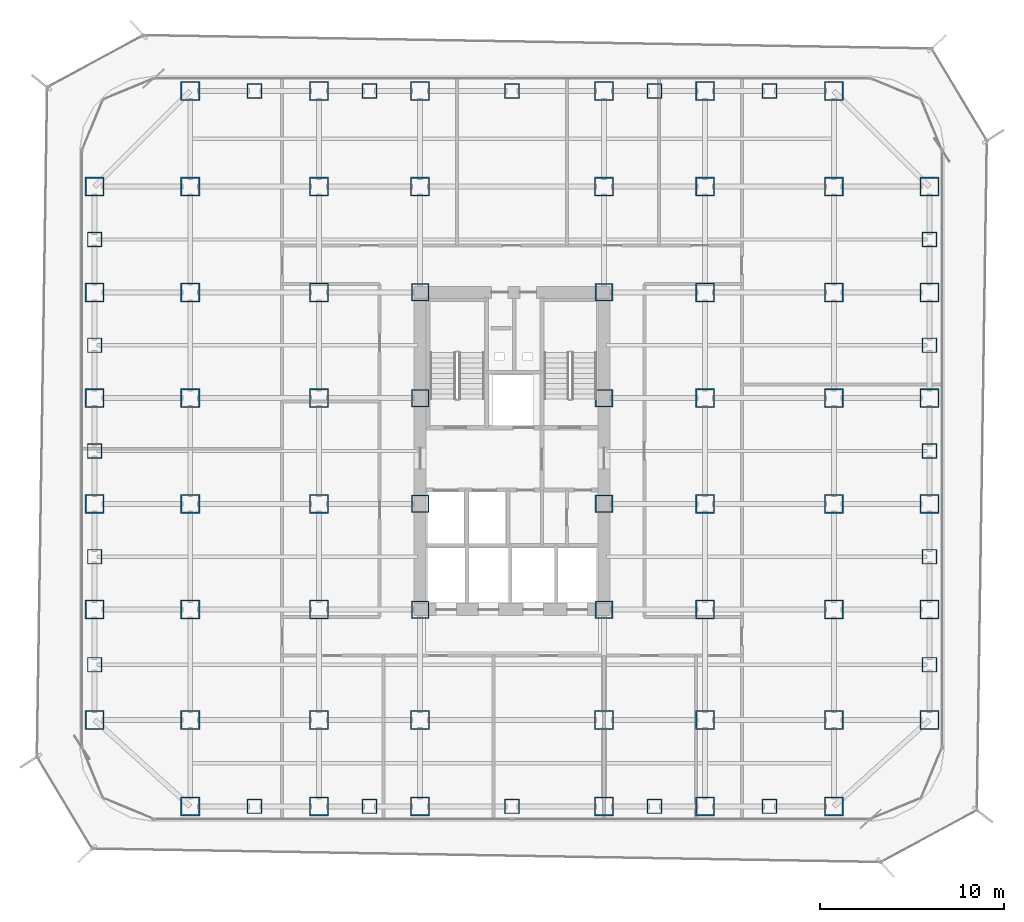
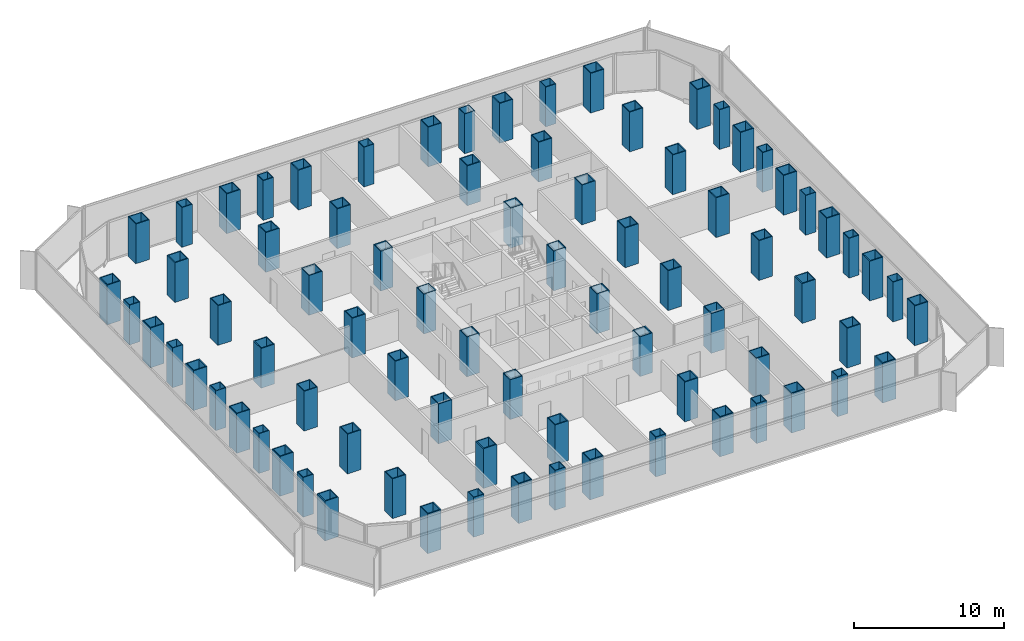
# One storey, part 1 of 22: 80 columns.
"""IFC4 building model written with IfcOpenShell, lengths in metres."""

from ifc_helpers import new_model, si_unit, direction, frame, origin, origin_2d, place, context, subcontext, project, spatial, hollow_rectangle, extrude, source, transform, mapped, material, material_profile, profile_set, type_object, element, save


model = new_model("IFC4")

# Units and contexts
model_context = context("Model", 3, precision=1e-05, world=origin(), true_north=direction((0.0, 1.0)))
body_context = subcontext(model_context, "Body", "Model", "MODEL_VIEW")
ifc_project = project(units=[si_unit("LENGTHUNIT", "METRE"), si_unit("AREAUNIT", "SQUARE_METRE"), si_unit("VOLUMEUNIT", "CUBIC_METRE"), si_unit("PLANEANGLEUNIT", "RADIAN"), si_unit("MASSUNIT", "GRAM", prefix="KILO")], contexts=[model_context])

# Site, building, storey
site_placement = place(None, origin())
site = spatial("IfcSite", under=ifc_project, at=site_placement, CompositionType="ELEMENT")
building_placement = place(site_placement, origin())
building = spatial("IfcBuilding", under=site, at=building_placement, Name="Kolveth Station Tower", CompositionType="ELEMENT")
storey_placement = place(building_placement, frame((0.0, 0.0, 72.89990234375)))
storey = spatial("IfcBuildingStorey", under=building, at=storey_placement, Name="L19", CompositionType="ELEMENT", Elevation=72.89990234375)

# Columns
ifc_material_1 = material(Name="Steel S460", Category="steel")
ifc_material_profile_1 = material_profile(ifc_material_1, hollow_rectangle(XDim=1.0400390625, YDim=1.0400390625, WallThickness=0.06494140625, at=origin_2d()), Name="BOX1040x1040x65")
ifc_profile_set_1 = profile_set([ifc_material_profile_1], Name="Steel S460")
column_type_1 = type_object("IfcColumnType", Name="Col_C2", PredefinedType="COLUMN", material=ifc_profile_set_1)
shared_shape_1 = source(origin(), body_context, "Body", "SweptSolid", [
    extrude(hollow_rectangle(XDim=1.0400390625, YDim=1.0400390625, WallThickness=0.06494140625, at=origin_2d()), origin(), (0.0, 0.0, 1.0), 3.239990234375),
])
for number, where, z_axis, x_axis, name in (
    (1, (6.0, 0.800048828125, 0.0), (0.0, 0.0, 1.0), (1.0, 0.0, 0.0), "L19 Tower Column S-X60"),
    (2, (6.0, 39.699951171875, 0.0), (0.0, 0.0, 1.0), (1.0, 0.0, 0.0), "L19 Tower Column N-X60"),
    (3, (13.0, 0.800048828125, 0.0), (0.0, 0.0, 1.0), (1.0, 0.0, 0.0), "L19 Tower Column S-X130"),
    (4, (13.0, 39.699951171875, 0.0), (0.0, 0.0, 1.0), (1.0, 0.0, 0.0), "L19 Tower Column N-X130"),
    (5, (18.5, 0.800048828125, 0.0), (0.0, 0.0, 1.0), (1.0, 0.0, 0.0), "L19 Tower Column S-X185"),
    (6, (18.5, 39.699951171875, 0.0), (0.0, 0.0, 1.0), (1.0, 0.0, 0.0), "L19 Tower Column N-X185"),
    (7, (28.5, 0.800048828125, 0.0), (0.0, 0.0, 1.0), (1.0, 0.0, 0.0), "L19 Tower Column S-X285"),
    (8, (28.5, 39.699951171875, 0.0), (0.0, 0.0, 1.0), (1.0, 0.0, 0.0), "L19 Tower Column N-X285"),
    (9, (34.0, 0.800048828125, 0.0), (0.0, 0.0, 1.0), (1.0, 0.0, 0.0), "L19 Tower Column S-X340"),
    (10, (34.0, 39.699951171875, 0.0), (0.0, 0.0, 1.0), (1.0, 0.0, 0.0), "L19 Tower Column N-X340"),
    (11, (41.0, 0.800048828125, 0.0), (0.0, 0.0, 1.0), (1.0, 0.0, 0.0), "L19 Tower Column S-X410"),
    (12, (41.0, 39.699951171875, 0.0), (0.0, 0.0, 1.0), (1.0, 0.0, 0.0), "L19 Tower Column N-X410"),
    (13, (0.800048828125, 5.5, 0.0), (0.0, 0.0, 1.0), (1.0, 0.0, 0.0), "L19 Tower Column W-Y55"),
    (14, (46.199951171875, 5.5, 0.0), (0.0, 0.0, 1.0), (1.0, 0.0, 0.0), "L19 Tower Column E-Y55"),
    (15, (0.800048828125, 11.5, 0.0), (0.0, 0.0, 1.0), (1.0, 0.0, 0.0), "L19 Tower Column W-Y115"),
    (16, (46.199951171875, 11.5, 0.0), (0.0, 0.0, 1.0), (1.0, 0.0, 0.0), "L19 Tower Column E-Y115"),
    (17, (0.800048828125, 17.25, 0.0), (0.0, 0.0, 1.0), (1.0, 0.0, 0.0), "L19 Tower Column W-Y172"),
    (18, (46.199951171875, 17.25, 0.0), (0.0, 0.0, 1.0), (1.0, 0.0, 0.0), "L19 Tower Column E-Y172"),
    (19, (0.800048828125, 23.0, 0.0), (0.0, 0.0, 1.0), (1.0, 0.0, 0.0), "L19 Tower Column W-Y230"),
    (20, (46.199951171875, 23.0, 0.0), (0.0, 0.0, 1.0), (1.0, 0.0, 0.0), "L19 Tower Column E-Y230"),
    (21, (0.800048828125, 28.75, 0.0), (0.0, 0.0, 1.0), (1.0, 0.0, 0.0), "L19 Tower Column W-Y287"),
    (22, (46.199951171875, 28.75, 0.0), (0.0, 0.0, 1.0), (1.0, 0.0, 0.0), "L19 Tower Column E-Y287"),
    (23, (0.800048828125, 34.5, 0.0), (0.0, 0.0, 1.0), (1.0, 0.0, 0.0), "L19 Tower Column W-Y345"),
    (24, (46.199951171875, 34.5, 0.0), (0.0, 0.0, 1.0), (1.0, 0.0, 0.0), "L19 Tower Column E-Y345"),
    (25, (6.0, 5.5, 0.0), (0.0, 0.0, 1.0), (1.0, 0.0, 0.0), "L19 Tower Column G-60-55"),
    (26, (6.0, 11.5, 0.0), (0.0, 0.0, 1.0), (1.0, 0.0, 0.0), "L19 Tower Column G-60-115"),
    (27, (6.0, 17.25, 0.0), (0.0, 0.0, 1.0), (1.0, 0.0, 0.0), "L19 Tower Column G-60-172"),
    (28, (6.0, 23.0, 0.0), (0.0, 0.0, 1.0), (1.0, 0.0, 0.0), "L19 Tower Column G-60-230"),
    (29, (6.0, 28.75, 0.0), (0.0, 0.0, 1.0), (1.0, 0.0, 0.0), "L19 Tower Column G-60-287"),
    (30, (6.0, 34.5, 0.0), (0.0, 0.0, 1.0), (1.0, 0.0, 0.0), "L19 Tower Column G-60-345"),
    (31, (13.0, 5.5, 0.0), (0.0, 0.0, 1.0), (1.0, 0.0, 0.0), "L19 Tower Column G-130-55"),
    (32, (13.0, 11.5, 0.0), (0.0, 0.0, 1.0), (1.0, 0.0, 0.0), "L19 Tower Column G-130-115"),
    (33, (13.0, 17.25, 0.0), (0.0, 0.0, 1.0), (1.0, 0.0, 0.0), "L19 Tower Column G-130-172"),
    (34, (13.0, 23.0, 0.0), (0.0, 0.0, 1.0), (1.0, 0.0, 0.0), "L19 Tower Column G-130-230"),
    (35, (13.0, 28.75, 0.0), (0.0, 0.0, 1.0), (1.0, 0.0, 0.0), "L19 Tower Column G-130-287"),
    (36, (13.0, 34.5, 0.0), (0.0, 0.0, 1.0), (1.0, 0.0, 0.0), "L19 Tower Column G-130-345"),
    (37, (18.5, 5.5, 0.0), (0.0, 0.0, 1.0), (1.0, 0.0, 0.0), "L19 Tower Column G-185-55"),
    (38, (18.5, 34.5, 0.0), (0.0, 0.0, 1.0), (1.0, 0.0, 0.0), "L19 Tower Column G-185-345"),
    (39, (28.5, 5.5, 0.0), (0.0, 0.0, 1.0), (1.0, 0.0, 0.0), "L19 Tower Column G-285-55"),
    (40, (28.5, 34.5, 0.0), (0.0, 0.0, 1.0), (1.0, 0.0, 0.0), "L19 Tower Column G-285-345"),
    (41, (34.0, 5.5, 0.0), (0.0, 0.0, 1.0), (1.0, 0.0, 0.0), "L19 Tower Column G-340-55"),
    (42, (34.0, 11.5, 0.0), (0.0, 0.0, 1.0), (1.0, 0.0, 0.0), "L19 Tower Column G-340-115"),
    (43, (34.0, 17.25, 0.0), (0.0, 0.0, 1.0), (1.0, 0.0, 0.0), "L19 Tower Column G-340-172"),
    (44, (34.0, 23.0, 0.0), (0.0, 0.0, 1.0), (1.0, 0.0, 0.0), "L19 Tower Column G-340-230"),
    (45, (34.0, 28.75, 0.0), (0.0, 0.0, 1.0), (1.0, 0.0, 0.0), "L19 Tower Column G-340-287"),
    (46, (34.0, 34.5, 0.0), (0.0, 0.0, 1.0), (1.0, 0.0, 0.0), "L19 Tower Column G-340-345"),
    (47, (41.0, 5.5, 0.0), (0.0, 0.0, 1.0), (1.0, 0.0, 0.0), "L19 Tower Column G-410-55"),
    (48, (41.0, 11.5, 0.0), (0.0, 0.0, 1.0), (1.0, 0.0, 0.0), "L19 Tower Column G-410-115"),
    (49, (41.0, 17.25, 0.0), (0.0, 0.0, 1.0), (1.0, 0.0, 0.0), "L19 Tower Column G-410-172"),
    (50, (41.0, 23.0, 0.0), (0.0, 0.0, 1.0), (1.0, 0.0, 0.0), "L19 Tower Column G-410-230"),
    (51, (41.0, 28.75, 0.0), (0.0, 0.0, 1.0), (1.0, 0.0, 0.0), "L19 Tower Column G-410-287"),
    (52, (41.0, 34.5, 0.0), (0.0, 0.0, 1.0), (1.0, 0.0, 0.0), "L19 Tower Column G-410-345"),
):
    element("IfcColumn", number, at=place(storey_placement, frame(where, z_axis=z_axis, x_axis=x_axis)), inside=storey, type_object=column_type_1, Name=name, PredefinedType="COLUMN", context=body_context, shape_type="MappedRepresentation", body=[
        mapped(shared_shape_1, transform((0.0, 0.0, 0.0), x_axis=(1.0, 0.0, 0.0), y_axis=(0.0, 1.0, 0.0), z_axis=(0.0, 0.0, 1.0), scale=1.0)),
    ])
ifc_material_profile_2 = material_profile(ifc_material_1, hollow_rectangle(XDim=0.9599609375, YDim=0.9599609375, WallThickness=0.06005859375, at=origin_2d()), Name="BOX960x960x60")
ifc_profile_set_2 = profile_set([ifc_material_profile_2], Name="Steel S460")
column_type_2 = type_object("IfcColumnType", Name="Col_C3", PredefinedType="COLUMN", material=ifc_profile_set_2)
shared_shape_2 = source(origin(), body_context, "Body", "SweptSolid", [
    extrude(hollow_rectangle(XDim=0.9599609375, YDim=0.9599609375, WallThickness=0.06005859375, at=origin_2d()), origin(), (0.0, 0.0, 1.0), 3.239990234375),
])
for number, where, z_axis, x_axis, name in (
    (53, (18.5, 11.5, 0.0), (0.0, 0.0, 1.0), (1.0, 0.0, 0.0), "L19 Tower Column G-185-115"),
    (54, (18.5, 17.25, 0.0), (0.0, 0.0, 1.0), (1.0, 0.0, 0.0), "L19 Tower Column G-185-172"),
    (55, (18.5, 23.0, 0.0), (0.0, 0.0, 1.0), (1.0, 0.0, 0.0), "L19 Tower Column G-185-230"),
    (56, (18.5, 28.75, 0.0), (0.0, 0.0, 1.0), (1.0, 0.0, 0.0), "L19 Tower Column G-185-287"),
    (57, (28.5, 11.5, 0.0), (0.0, 0.0, 1.0), (1.0, 0.0, 0.0), "L19 Tower Column G-285-115"),
    (58, (28.5, 17.25, 0.0), (0.0, 0.0, 1.0), (1.0, 0.0, 0.0), "L19 Tower Column G-285-172"),
    (59, (28.5, 23.0, 0.0), (0.0, 0.0, 1.0), (1.0, 0.0, 0.0), "L19 Tower Column G-285-230"),
    (60, (28.5, 28.75, 0.0), (0.0, 0.0, 1.0), (1.0, 0.0, 0.0), "L19 Tower Column G-285-287"),
):
    element("IfcColumn", number, at=place(storey_placement, frame(where, z_axis=z_axis, x_axis=x_axis)), inside=storey, type_object=column_type_2, Name=name, PredefinedType="COLUMN", context=body_context, shape_type="MappedRepresentation", body=[
        mapped(shared_shape_2, transform((0.0, 0.0, 0.0), x_axis=(1.0, 0.0, 0.0), y_axis=(0.0, 1.0, 0.0), z_axis=(0.0, 0.0, 1.0), scale=1.0)),
    ])
ifc_material_2 = material(Name="Steel S355", Category="steel")
ifc_material_profile_3 = material_profile(ifc_material_2, hollow_rectangle(XDim=0.800048828125, YDim=0.800048828125, WallThickness=0.044921875, at=origin_2d()), Name="BOX800x800x45")
ifc_profile_set_3 = profile_set([ifc_material_profile_3], Name="Steel S355")
column_type_3 = type_object("IfcColumnType", Name="Col_C5", PredefinedType="COLUMN", material=ifc_profile_set_3)
shared_shape_3 = source(origin(), body_context, "Body", "SweptSolid", [
    extrude(hollow_rectangle(XDim=0.800048828125, YDim=0.800048828125, WallThickness=0.044921875, at=origin_2d()), origin(), (0.0, 0.0, 1.0), 3.239990234375),
])
for number, where, z_axis, x_axis, name in (
    (61, (9.5, 0.800048828125, 0.0), (0.0, 0.0, 1.0), (1.0, 0.0, 0.0), "L19 Tower Column MS-X95"),
    (62, (9.5, 39.699951171875, 0.0), (0.0, 0.0, 1.0), (1.0, 0.0, 0.0), "L19 Tower Column MN-X95"),
    (63, (15.75, 0.800048828125, 0.0), (0.0, 0.0, 1.0), (1.0, 0.0, 0.0), "L19 Tower Column MS-X157"),
    (64, (15.75, 39.699951171875, 0.0), (0.0, 0.0, 1.0), (1.0, 0.0, 0.0), "L19 Tower Column MN-X157"),
    (65, (23.5, 0.800048828125, 0.0), (0.0, 0.0, 1.0), (1.0, 0.0, 0.0), "L19 Tower Column MS-X235"),
    (66, (23.5, 39.699951171875, 0.0), (0.0, 0.0, 1.0), (1.0, 0.0, 0.0), "L19 Tower Column MN-X235"),
    (67, (31.25, 0.800048828125, 0.0), (0.0, 0.0, 1.0), (1.0, 0.0, 0.0), "L19 Tower Column MS-X312"),
    (68, (31.25, 39.699951171875, 0.0), (0.0, 0.0, 1.0), (1.0, 0.0, 0.0), "L19 Tower Column MN-X312"),
    (69, (37.5, 0.800048828125, 0.0), (0.0, 0.0, 1.0), (1.0, 0.0, 0.0), "L19 Tower Column MS-X375"),
    (70, (37.5, 39.699951171875, 0.0), (0.0, 0.0, 1.0), (1.0, 0.0, 0.0), "L19 Tower Column MN-X375"),
    (71, (0.800048828125, 8.5, 0.0), (0.0, 0.0, 1.0), (1.0, 0.0, 0.0), "L19 Tower Column MW-Y85"),
    (72, (46.199951171875, 8.5, 0.0), (0.0, 0.0, 1.0), (1.0, 0.0, 0.0), "L19 Tower Column ME-Y85"),
    (73, (0.800048828125, 14.375, 0.0), (0.0, 0.0, 1.0), (1.0, 0.0, 0.0), "L19 Tower Column MW-Y143"),
    (74, (46.199951171875, 14.375, 0.0), (0.0, 0.0, 1.0), (1.0, 0.0, 0.0), "L19 Tower Column ME-Y143"),
    (75, (0.800048828125, 20.125, 0.0), (0.0, 0.0, 1.0), (1.0, 0.0, 0.0), "L19 Tower Column MW-Y201"),
    (76, (46.199951171875, 20.125, 0.0), (0.0, 0.0, 1.0), (1.0, 0.0, 0.0), "L19 Tower Column ME-Y201"),
    (77, (0.800048828125, 25.875, 0.0), (0.0, 0.0, 1.0), (1.0, 0.0, 0.0), "L19 Tower Column MW-Y258"),
    (78, (46.199951171875, 25.875, 0.0), (0.0, 0.0, 1.0), (1.0, 0.0, 0.0), "L19 Tower Column ME-Y258"),
    (79, (0.800048828125, 31.625, 0.0), (0.0, 0.0, 1.0), (1.0, 0.0, 0.0), "L19 Tower Column MW-Y316"),
    (80, (46.199951171875, 31.625, 0.0), (0.0, 0.0, 1.0), (1.0, 0.0, 0.0), "L19 Tower Column ME-Y316"),
):
    element("IfcColumn", number, at=place(storey_placement, frame(where, z_axis=z_axis, x_axis=x_axis)), inside=storey, type_object=column_type_3, Name=name, PredefinedType="COLUMN", context=body_context, shape_type="MappedRepresentation", body=[
        mapped(shared_shape_3, transform((0.0, 0.0, 0.0), x_axis=(1.0, 0.0, 0.0), y_axis=(0.0, 1.0, 0.0), z_axis=(0.0, 0.0, 1.0), scale=1.0)),
    ])

save(model, "model.ifc")
